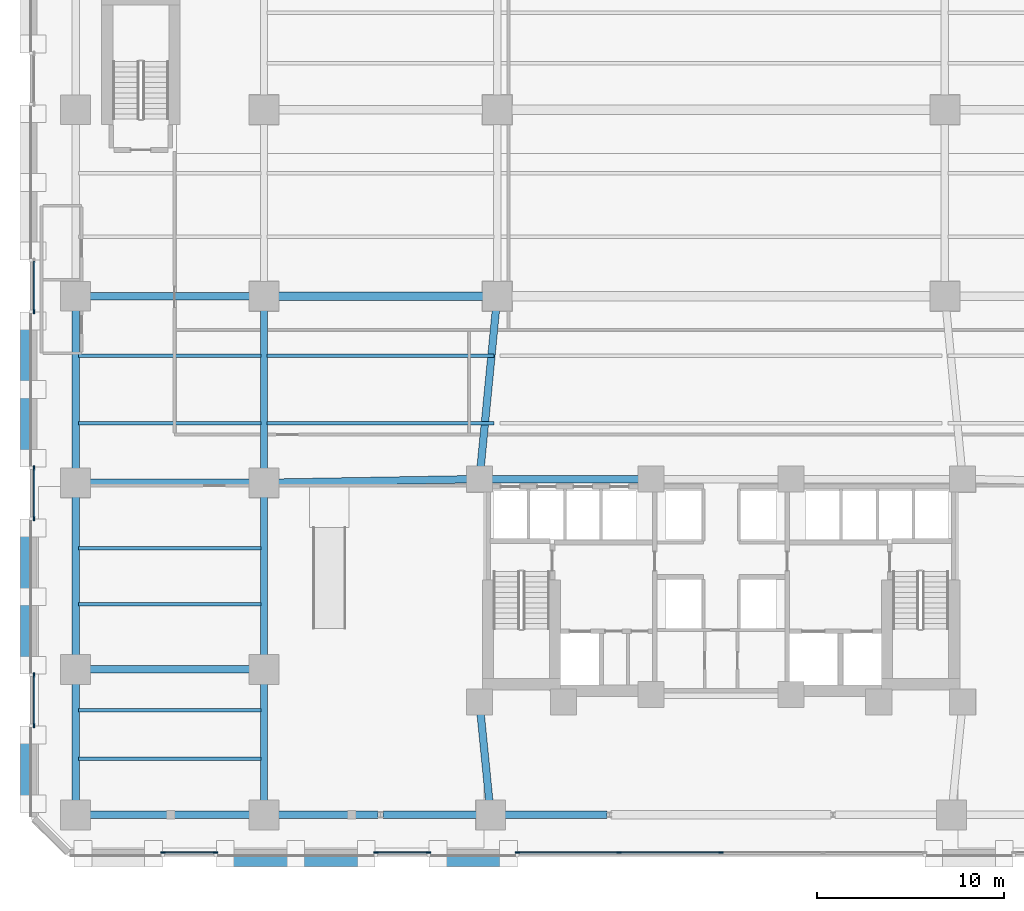
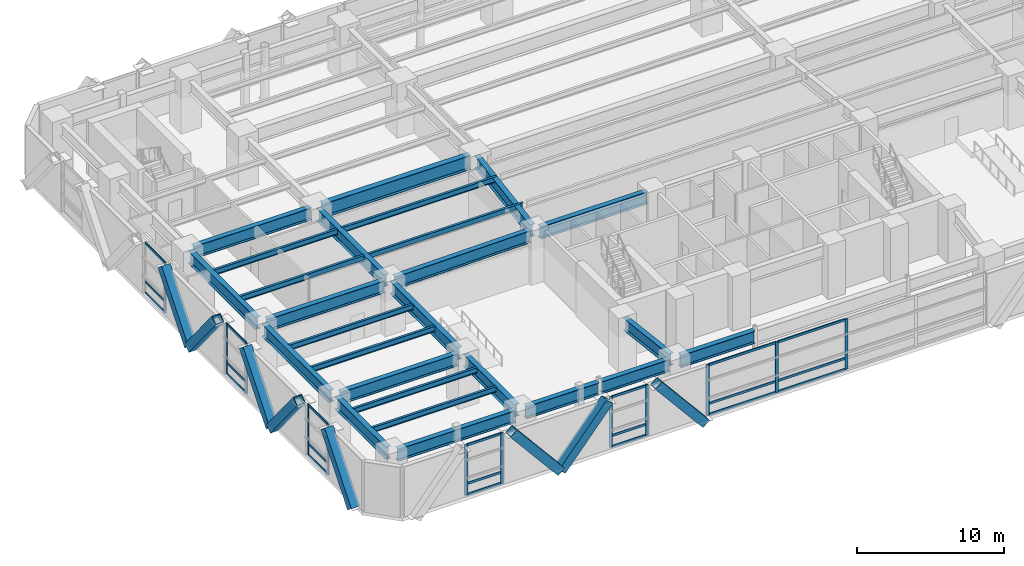
# One storey, part 6 of 26: 41 members, 26 beams, 6 elements without a shape of their own.
"""IFC4 building model written with IfcOpenShell, lengths in metres."""

from ifc_helpers import new_model, si_unit, direction, frame, origin, origin_2d, place, context, subcontext, project, spatial, rectangle, hollow_rectangle, i_section, extrude, material, material_profile, profile_set, type_object, element, aggregate, save


model = new_model("IFC4")

# Units and contexts
model_context = context("Model", 3, precision=1e-05, world=origin(), true_north=direction((0.0, 1.0)))
body_context = subcontext(model_context, "Body", "Model", "MODEL_VIEW")
ifc_project = project(units=[si_unit("LENGTHUNIT", "METRE"), si_unit("AREAUNIT", "SQUARE_METRE"), si_unit("VOLUMEUNIT", "CUBIC_METRE"), si_unit("PLANEANGLEUNIT", "RADIAN"), si_unit("MASSUNIT", "GRAM", prefix="KILO")], contexts=[model_context])

# Site, building, storey
site_placement = place(None, origin())
site = spatial("IfcSite", under=ifc_project, at=site_placement, CompositionType="ELEMENT")
building_placement = place(site_placement, origin())
building = spatial("IfcBuilding", under=site, at=building_placement, Name="Quenlor Broadcast Tower", CompositionType="ELEMENT")
storey_placement = place(building_placement, frame((0.0, 0.0, 5.0)))
storey = spatial("IfcBuildingStorey", under=building, at=storey_placement, Name="L01", CompositionType="ELEMENT", Elevation=5.0)

# Curtain wall, members
ifc_material_1 = material(Name="Architectural Terracotta and Low-E Glazing", Category="masonry")
curtain_wall_type = type_object("IfcCurtainWallType", Name="Station Concourse and Crown Terracotta Curtain Wall", PredefinedType="NOTDEFINED", material=ifc_material_1)
curtain_wall_1_placement = place(storey_placement, origin())
curtain_wall_1 = element("IfcCurtainWall", 1, at=curtain_wall_1_placement, inside=storey, type_object=curtain_wall_type, Name="L01 Curtain Wall CW6 (L01-S-FULL-G3)", PredefinedType="NOTDEFINED")
ifc_material_2 = material(Name="Aluminium 6063-T6", Category="aluminium")
ifc_material_profile_1 = material_profile(ifc_material_2, rectangle(XDim=0.08203125, YDim=0.239990234375, at=origin_2d()))
ifc_profile_set_1 = profile_set([ifc_material_profile_1], Name="Aluminium 6063-T6 MULL82x240")
member_type_1 = type_object("IfcMemberType", Name="CW6 Aluminium Mullion MULL_CW6", PredefinedType="MULLION", material=ifc_profile_set_1)
member_1_placement = place(storey_placement, frame((0.0, -24.820068359375, 0.0), z_axis=(0.0, 0.0, 1.0), x_axis=(0.0, -1.0, 0.0)))
member_1 = element("IfcMember", 2, at=member_1_placement, type_object=member_type_1, Name="CW6 mullion 3", PredefinedType="MULLION", context=body_context, shape_type="SweptSolid", body=[
    extrude(rectangle(XDim=0.08203125, YDim=0.239990234375, at=origin_2d()), origin(), (0.0, 0.0, 1.0), 4.199951171875),
])
member_2_placement = place(storey_placement, frame((-5.475341796875, -24.820068359375, 0.0), z_axis=(0.0, 0.0, 1.0), x_axis=(0.0, -1.0, 0.0)))
member_2 = element("IfcMember", 3, at=member_2_placement, type_object=member_type_1, Name="CW6 mullion 4", PredefinedType="MULLION", context=body_context, shape_type="SweptSolid", body=[
    extrude(rectangle(XDim=0.08203125, YDim=0.239990234375, at=origin_2d()), origin(), (0.0, 0.0, 1.0), 4.199951171875),
])
member_3_placement = place(storey_placement, frame((-10.909423828125, -24.820068359375, 0.0), z_axis=(0.0, 0.0, 1.0), x_axis=(0.0, -1.0, 0.0)))
member_3 = element("IfcMember", 4, at=member_3_placement, type_object=member_type_1, Name="CW6 mullion 5", PredefinedType="MULLION", context=body_context, shape_type="SweptSolid", body=[
    extrude(rectangle(XDim=0.08203125, YDim=0.239990234375, at=origin_2d()), origin(), (0.0, 0.0, 1.0), 4.199951171875),
])

curtain_wall_2_placement = place(storey_placement, origin())
curtain_wall_2 = element("IfcCurtainWall", 5, at=curtain_wall_2_placement, inside=storey, type_object=curtain_wall_type, Name="L01 Curtain Wall CW6 (L01-S-FULL-G4)", PredefinedType="NOTDEFINED")
member_4_placement = place(storey_placement, frame((-15.6904296875, -24.820068359375, 0.0), z_axis=(0.0, 0.0, 1.0), x_axis=(0.0, -1.0, 0.0)))
member_4 = element("IfcMember", 6, at=member_4_placement, type_object=member_type_1, Name="CW6 mullion 1", PredefinedType="MULLION", context=body_context, shape_type="SweptSolid", body=[
    extrude(rectangle(XDim=0.08203125, YDim=0.239990234375, at=origin_2d()), origin(), (0.0, 0.0, 1.0), 4.199951171875),
])
member_5_placement = place(storey_placement, frame((-18.509521484375, -24.820068359375, 0.0), z_axis=(0.0, 0.0, 1.0), x_axis=(0.0, -1.0, 0.0)))
member_5 = element("IfcMember", 7, at=member_5_placement, type_object=member_type_1, Name="CW6 mullion 2", PredefinedType="MULLION", context=body_context, shape_type="SweptSolid", body=[
    extrude(rectangle(XDim=0.08203125, YDim=0.239990234375, at=origin_2d()), origin(), (0.0, 0.0, 1.0), 4.199951171875),
])

curtain_wall_3_placement = place(storey_placement, origin())
curtain_wall_3 = element("IfcCurtainWall", 8, at=curtain_wall_3_placement, inside=storey, type_object=curtain_wall_type, Name="L01 Curtain Wall CW6 (L01-S-FULL-G5)", PredefinedType="NOTDEFINED")
member_6_placement = place(storey_placement, frame((-27.090576171875, -24.820068359375, 0.0), z_axis=(0.0, 0.0, 1.0), x_axis=(0.0, -1.0, 0.0)))
member_6 = element("IfcMember", 9, at=member_6_placement, type_object=member_type_1, Name="CW6 mullion 1", PredefinedType="MULLION", context=body_context, shape_type="SweptSolid", body=[
    extrude(rectangle(XDim=0.08203125, YDim=0.239990234375, at=origin_2d()), origin(), (0.0, 0.0, 1.0), 4.199951171875),
])
member_7_placement = place(storey_placement, frame((-29.909423828125, -24.820068359375, 0.0), z_axis=(0.0, 0.0, 1.0), x_axis=(0.0, -1.0, 0.0)))
member_7 = element("IfcMember", 10, at=member_7_placement, type_object=member_type_1, Name="CW6 mullion 2", PredefinedType="MULLION", context=body_context, shape_type="SweptSolid", body=[
    extrude(rectangle(XDim=0.08203125, YDim=0.239990234375, at=origin_2d()), origin(), (0.0, 0.0, 1.0), 4.199951171875),
])

curtain_wall_4_placement = place(storey_placement, origin())
curtain_wall_4 = element("IfcCurtainWall", 11, at=curtain_wall_4_placement, inside=storey, type_object=curtain_wall_type, Name="L01 Curtain Wall CW6 (L01-W-FULL-G1)", PredefinedType="NOTDEFINED")
member_8_placement = place(storey_placement, frame((-36.820068359375, -18.00634765625, 0.0), z_axis=(0.0, 0.0, 1.0), x_axis=(-1.0, 0.0, 0.0)))
member_8 = element("IfcMember", 12, at=member_8_placement, type_object=member_type_1, Name="CW6 mullion 1", PredefinedType="MULLION", context=body_context, shape_type="SweptSolid", body=[
    extrude(rectangle(XDim=0.08203125, YDim=0.239990234375, at=origin_2d()), origin(), (0.0, 0.0, 1.0), 4.199951171875),
])
member_9_placement = place(storey_placement, frame((-36.820068359375, -15.293701171875, 0.0), z_axis=(0.0, 0.0, 1.0), x_axis=(-1.0, 0.0, 0.0)))
member_9 = element("IfcMember", 13, at=member_9_placement, type_object=member_type_1, Name="CW6 mullion 2", PredefinedType="MULLION", context=body_context, shape_type="SweptSolid", body=[
    extrude(rectangle(XDim=0.08203125, YDim=0.239990234375, at=origin_2d()), origin(), (0.0, 0.0, 1.0), 4.199951171875),
])

curtain_wall_5_placement = place(storey_placement, origin())
curtain_wall_5 = element("IfcCurtainWall", 14, at=curtain_wall_5_placement, inside=storey, type_object=curtain_wall_type, Name="L01 Curtain Wall CW6 (L01-W-FULL-G2)", PredefinedType="NOTDEFINED")
member_10_placement = place(storey_placement, frame((-36.820068359375, -6.90625, 0.0), z_axis=(0.0, 0.0, 1.0), x_axis=(-1.0, 0.0, 0.0)))
member_10 = element("IfcMember", 15, at=member_10_placement, type_object=member_type_1, Name="CW6 mullion 1", PredefinedType="MULLION", context=body_context, shape_type="SweptSolid", body=[
    extrude(rectangle(XDim=0.08203125, YDim=0.239990234375, at=origin_2d()), origin(), (0.0, 0.0, 1.0), 4.199951171875),
])
member_11_placement = place(storey_placement, frame((-36.820068359375, -4.193603515625, 0.0), z_axis=(0.0, 0.0, 1.0), x_axis=(-1.0, 0.0, 0.0)))
member_11 = element("IfcMember", 16, at=member_11_placement, type_object=member_type_1, Name="CW6 mullion 2", PredefinedType="MULLION", context=body_context, shape_type="SweptSolid", body=[
    extrude(rectangle(XDim=0.08203125, YDim=0.239990234375, at=origin_2d()), origin(), (0.0, 0.0, 1.0), 4.199951171875),
])

# Curtain wall, member
curtain_wall_6_placement = place(storey_placement, origin())
curtain_wall_6 = element("IfcCurtainWall", 17, at=curtain_wall_6_placement, inside=storey, type_object=curtain_wall_type, Name="L01 Curtain Wall CW6 (L01-W-FULL-G3)", PredefinedType="NOTDEFINED")
member_12_placement = place(storey_placement, frame((-36.820068359375, 4.193603515625, 0.0), z_axis=(0.0, 0.0, 1.0), x_axis=(-1.0, 0.0, 0.0)))
member_12 = element("IfcMember", 18, at=member_12_placement, type_object=member_type_1, Name="CW6 mullion 1", PredefinedType="MULLION", context=body_context, shape_type="SweptSolid", body=[
    extrude(rectangle(XDim=0.08203125, YDim=0.239990234375, at=origin_2d()), origin(), (0.0, 0.0, 1.0), 4.199951171875),
])

# Member
ifc_material_3 = material(Name="Aluminium 6063-T6", Category="aluminium")
ifc_material_profile_2 = material_profile(ifc_material_3, rectangle(XDim=0.08203125, YDim=0.195068359375, at=origin_2d()))
ifc_profile_set_2 = profile_set([ifc_material_profile_2], Name="Aluminium 6063-T6 TRAN82x195")
member_type_2 = type_object("IfcMemberType", Name="CW6 Aluminium Transom TRAN_CW6", PredefinedType="USERDEFINED", material=ifc_profile_set_2)
member_13_placement = place(storey_placement, frame((-0.041015625, -24.820068359375, 0.041015625), z_axis=(-1.0, 0.0, 0.0), x_axis=(0.0, -1.0, 0.0)))
member_13 = element("IfcMember", 19, at=member_13_placement, type_object=member_type_2, Name="CW6 transom 3.1", ObjectType="TRANSOM", PredefinedType="USERDEFINED", context=body_context, shape_type="SweptSolid", body=[
    extrude(rectangle(XDim=0.08203125, YDim=0.195068359375, at=origin_2d()), origin(), (0.0, 0.0, 1.0), 5.393310546875),
])

member_14_placement = place(storey_placement, frame((-0.041015625, -24.820068359375, 0.949951171875), z_axis=(-1.0, 0.0, 0.0), x_axis=(0.0, -1.0, 0.0)))
member_14 = element("IfcMember", 20, at=member_14_placement, type_object=member_type_2, Name="CW6 transom 3.2", ObjectType="TRANSOM", PredefinedType="USERDEFINED", context=body_context, shape_type="SweptSolid", body=[
    extrude(rectangle(XDim=0.08203125, YDim=0.195068359375, at=origin_2d()), origin(), (0.0, 0.0, 1.0), 5.393310546875),
])

member_15_placement = place(storey_placement, frame((-0.041015625, -24.820068359375, 4.158935546875), z_axis=(-1.0, 0.0, 0.0), x_axis=(0.0, -1.0, 0.0)))
member_15 = element("IfcMember", 21, at=member_15_placement, type_object=member_type_2, Name="CW6 transom 3.3", ObjectType="TRANSOM", PredefinedType="USERDEFINED", context=body_context, shape_type="SweptSolid", body=[
    extrude(rectangle(XDim=0.08203125, YDim=0.195068359375, at=origin_2d()), origin(), (0.0, 0.0, 1.0), 5.393310546875),
])

member_16_placement = place(storey_placement, frame((-5.516357421875, -24.820068359375, 0.041015625), z_axis=(-1.0, 0.0, 0.0), x_axis=(0.0, -1.0, 0.0)))
member_16 = element("IfcMember", 22, at=member_16_placement, type_object=member_type_2, Name="CW6 transom 4.1", ObjectType="TRANSOM", PredefinedType="USERDEFINED", context=body_context, shape_type="SweptSolid", body=[
    extrude(rectangle(XDim=0.08203125, YDim=0.195068359375, at=origin_2d()), origin(), (0.0, 0.0, 1.0), 5.35205078125),
])

member_17_placement = place(storey_placement, frame((-5.516357421875, -24.820068359375, 0.949951171875), z_axis=(-1.0, 0.0, 0.0), x_axis=(0.0, -1.0, 0.0)))
member_17 = element("IfcMember", 23, at=member_17_placement, type_object=member_type_2, Name="CW6 transom 4.2", ObjectType="TRANSOM", PredefinedType="USERDEFINED", context=body_context, shape_type="SweptSolid", body=[
    extrude(rectangle(XDim=0.08203125, YDim=0.195068359375, at=origin_2d()), origin(), (0.0, 0.0, 1.0), 5.35205078125),
])

member_18_placement = place(storey_placement, frame((-5.516357421875, -24.820068359375, 4.158935546875), z_axis=(-1.0, 0.0, 0.0), x_axis=(0.0, -1.0, 0.0)))
member_18 = element("IfcMember", 24, at=member_18_placement, type_object=member_type_2, Name="CW6 transom 4.3", ObjectType="TRANSOM", PredefinedType="USERDEFINED", context=body_context, shape_type="SweptSolid", body=[
    extrude(rectangle(XDim=0.08203125, YDim=0.195068359375, at=origin_2d()), origin(), (0.0, 0.0, 1.0), 5.35205078125),
])

aggregate(curtain_wall_1, [member_1, member_2, member_3, member_13, member_14, member_15, member_16, member_17, member_18])

member_19_placement = place(storey_placement, frame((-15.7314453125, -24.820068359375, 0.041015625), z_axis=(-1.0, 0.0, 0.0), x_axis=(0.0, -1.0, 0.0)))
member_19 = element("IfcMember", 25, at=member_19_placement, type_object=member_type_2, Name="CW6 transom 1.1", ObjectType="TRANSOM", PredefinedType="USERDEFINED", context=body_context, shape_type="SweptSolid", body=[
    extrude(rectangle(XDim=0.08203125, YDim=0.195068359375, at=origin_2d()), origin(), (0.0, 0.0, 1.0), 2.737060546875),
])

member_20_placement = place(storey_placement, frame((-15.7314453125, -24.820068359375, 0.949951171875), z_axis=(-1.0, 0.0, 0.0), x_axis=(0.0, -1.0, 0.0)))
member_20 = element("IfcMember", 26, at=member_20_placement, type_object=member_type_2, Name="CW6 transom 1.2", ObjectType="TRANSOM", PredefinedType="USERDEFINED", context=body_context, shape_type="SweptSolid", body=[
    extrude(rectangle(XDim=0.08203125, YDim=0.195068359375, at=origin_2d()), origin(), (0.0, 0.0, 1.0), 2.737060546875),
])

member_21_placement = place(storey_placement, frame((-15.7314453125, -24.820068359375, 4.158935546875), z_axis=(-1.0, 0.0, 0.0), x_axis=(0.0, -1.0, 0.0)))
member_21 = element("IfcMember", 27, at=member_21_placement, type_object=member_type_2, Name="CW6 transom 1.3", ObjectType="TRANSOM", PredefinedType="USERDEFINED", context=body_context, shape_type="SweptSolid", body=[
    extrude(rectangle(XDim=0.08203125, YDim=0.195068359375, at=origin_2d()), origin(), (0.0, 0.0, 1.0), 2.737060546875),
])

aggregate(curtain_wall_2, [member_4, member_5, member_19, member_20, member_21])

member_22_placement = place(storey_placement, frame((-27.131591796875, -24.820068359375, 0.041015625), z_axis=(-1.0, 0.0, 0.0), x_axis=(0.0, -1.0, 0.0)))
member_22 = element("IfcMember", 28, at=member_22_placement, type_object=member_type_2, Name="CW6 transom 1.1", ObjectType="TRANSOM", PredefinedType="USERDEFINED", context=body_context, shape_type="SweptSolid", body=[
    extrude(rectangle(XDim=0.08203125, YDim=0.195068359375, at=origin_2d()), origin(), (0.0, 0.0, 1.0), 2.73681640625),
])

member_23_placement = place(storey_placement, frame((-27.131591796875, -24.820068359375, 0.949951171875), z_axis=(-1.0, 0.0, 0.0), x_axis=(0.0, -1.0, 0.0)))
member_23 = element("IfcMember", 29, at=member_23_placement, type_object=member_type_2, Name="CW6 transom 1.2", ObjectType="TRANSOM", PredefinedType="USERDEFINED", context=body_context, shape_type="SweptSolid", body=[
    extrude(rectangle(XDim=0.08203125, YDim=0.195068359375, at=origin_2d()), origin(), (0.0, 0.0, 1.0), 2.73681640625),
])

member_24_placement = place(storey_placement, frame((-27.131591796875, -24.820068359375, 4.158935546875), z_axis=(-1.0, 0.0, 0.0), x_axis=(0.0, -1.0, 0.0)))
member_24 = element("IfcMember", 30, at=member_24_placement, type_object=member_type_2, Name="CW6 transom 1.3", ObjectType="TRANSOM", PredefinedType="USERDEFINED", context=body_context, shape_type="SweptSolid", body=[
    extrude(rectangle(XDim=0.08203125, YDim=0.195068359375, at=origin_2d()), origin(), (0.0, 0.0, 1.0), 2.73681640625),
])

aggregate(curtain_wall_3, [member_6, member_7, member_22, member_23, member_24])

member_25_placement = place(storey_placement, frame((-36.820068359375, -17.96533203125, 0.041015625), z_axis=(0.0, 1.0, 0.0), x_axis=(-1.0, 0.0, 0.0)))
member_25 = element("IfcMember", 31, at=member_25_placement, type_object=member_type_2, Name="CW6 transom 1.1", ObjectType="TRANSOM", PredefinedType="USERDEFINED", context=body_context, shape_type="SweptSolid", body=[
    extrude(rectangle(XDim=0.08203125, YDim=0.195068359375, at=origin_2d()), origin(), (0.0, 0.0, 1.0), 2.630615234375),
])

member_26_placement = place(storey_placement, frame((-36.820068359375, -17.96533203125, 0.949951171875), z_axis=(0.0, 1.0, 0.0), x_axis=(-1.0, 0.0, 0.0)))
member_26 = element("IfcMember", 32, at=member_26_placement, type_object=member_type_2, Name="CW6 transom 1.2", ObjectType="TRANSOM", PredefinedType="USERDEFINED", context=body_context, shape_type="SweptSolid", body=[
    extrude(rectangle(XDim=0.08203125, YDim=0.195068359375, at=origin_2d()), origin(), (0.0, 0.0, 1.0), 2.630615234375),
])

member_27_placement = place(storey_placement, frame((-36.820068359375, -17.96533203125, 4.158935546875), z_axis=(0.0, 1.0, 0.0), x_axis=(-1.0, 0.0, 0.0)))
member_27 = element("IfcMember", 33, at=member_27_placement, type_object=member_type_2, Name="CW6 transom 1.3", ObjectType="TRANSOM", PredefinedType="USERDEFINED", context=body_context, shape_type="SweptSolid", body=[
    extrude(rectangle(XDim=0.08203125, YDim=0.195068359375, at=origin_2d()), origin(), (0.0, 0.0, 1.0), 2.630615234375),
])

aggregate(curtain_wall_4, [member_8, member_9, member_25, member_26, member_27])

member_28_placement = place(storey_placement, frame((-36.820068359375, -6.865234375, 0.041015625), z_axis=(0.0, 1.0, 0.0), x_axis=(-1.0, 0.0, 0.0)))
member_28 = element("IfcMember", 34, at=member_28_placement, type_object=member_type_2, Name="CW6 transom 1.1", ObjectType="TRANSOM", PredefinedType="USERDEFINED", context=body_context, shape_type="SweptSolid", body=[
    extrude(rectangle(XDim=0.08203125, YDim=0.195068359375, at=origin_2d()), origin(), (0.0, 0.0, 1.0), 2.630615234375),
])

member_29_placement = place(storey_placement, frame((-36.820068359375, -6.865234375, 0.949951171875), z_axis=(0.0, 1.0, 0.0), x_axis=(-1.0, 0.0, 0.0)))
member_29 = element("IfcMember", 35, at=member_29_placement, type_object=member_type_2, Name="CW6 transom 1.2", ObjectType="TRANSOM", PredefinedType="USERDEFINED", context=body_context, shape_type="SweptSolid", body=[
    extrude(rectangle(XDim=0.08203125, YDim=0.195068359375, at=origin_2d()), origin(), (0.0, 0.0, 1.0), 2.630615234375),
])

member_30_placement = place(storey_placement, frame((-36.820068359375, -6.865234375, 4.158935546875), z_axis=(0.0, 1.0, 0.0), x_axis=(-1.0, 0.0, 0.0)))
member_30 = element("IfcMember", 36, at=member_30_placement, type_object=member_type_2, Name="CW6 transom 1.3", ObjectType="TRANSOM", PredefinedType="USERDEFINED", context=body_context, shape_type="SweptSolid", body=[
    extrude(rectangle(XDim=0.08203125, YDim=0.195068359375, at=origin_2d()), origin(), (0.0, 0.0, 1.0), 2.630615234375),
])

aggregate(curtain_wall_5, [member_10, member_11, member_28, member_29, member_30])

member_31_placement = place(storey_placement, frame((-36.820068359375, 4.234619140625, 0.041015625), z_axis=(0.0, 1.0, 0.0), x_axis=(-1.0, 0.0, 0.0)))
member_31 = element("IfcMember", 37, at=member_31_placement, type_object=member_type_2, Name="CW6 transom 1.1", ObjectType="TRANSOM", PredefinedType="USERDEFINED", context=body_context, shape_type="SweptSolid", body=[
    extrude(rectangle(XDim=0.08203125, YDim=0.195068359375, at=origin_2d()), origin(), (0.0, 0.0, 1.0), 2.630615234375),
])

member_32_placement = place(storey_placement, frame((-36.820068359375, 4.234619140625, 0.949951171875), z_axis=(0.0, 1.0, 0.0), x_axis=(-1.0, 0.0, 0.0)))
member_32 = element("IfcMember", 38, at=member_32_placement, type_object=member_type_2, Name="CW6 transom 1.2", ObjectType="TRANSOM", PredefinedType="USERDEFINED", context=body_context, shape_type="SweptSolid", body=[
    extrude(rectangle(XDim=0.08203125, YDim=0.195068359375, at=origin_2d()), origin(), (0.0, 0.0, 1.0), 2.630615234375),
])

member_33_placement = place(storey_placement, frame((-36.820068359375, 4.234619140625, 4.158935546875), z_axis=(0.0, 1.0, 0.0), x_axis=(-1.0, 0.0, 0.0)))
member_33 = element("IfcMember", 39, at=member_33_placement, type_object=member_type_2, Name="CW6 transom 1.3", ObjectType="TRANSOM", PredefinedType="USERDEFINED", context=body_context, shape_type="SweptSolid", body=[
    extrude(rectangle(XDim=0.08203125, YDim=0.195068359375, at=origin_2d()), origin(), (0.0, 0.0, 1.0), 2.630615234375),
])

aggregate(curtain_wall_6, [member_12, member_31, member_32, member_33])

# Members
ifc_material_4 = material(Name="Steel S355", Category="steel")
ifc_material_profile_3 = material_profile(ifc_material_4, hollow_rectangle(XDim=0.679931640625, YDim=0.679931640625, WallThickness=0.034912109375, at=origin_2d()))
ifc_profile_set_3 = profile_set([ifc_material_profile_3], Name="Steel S355 RHS680x680x35")
member_type_3 = type_object("IfcMemberType", Name="Perimeter Diagonal Lattice Brace Z1 Steel S355 RHS680x35", PredefinedType="BRACE", material=ifc_profile_set_3)
for number, where, z_axis, x_axis, name in (
    (40, (-11.4228515625, -25.215087890625, -0.1201171875), (-0.640626831312, 0.0, 0.767852370578), (0.0, -1.0, 0.0), "L01 Podium Diamond Lattice S-P5S"),
    (41, (-22.777099609375, -25.215087890625, -0.1201171875), (0.640626831312, 0.0, 0.767852370578), (0.0, 1.0, 0.0), "L01 Podium Diamond Lattice S-P5B"),
    (42, (-22.82275390625, -25.215087890625, -0.1201171875), (-0.640626831312, 0.0, 0.767852370578), (0.0, -1.0, 0.0), "L01 Podium Diamond Lattice S-P6S"),
):
    element("IfcMember", number, at=place(storey_placement, frame(where, z_axis=z_axis, x_axis=x_axis)), inside=storey, type_object=member_type_3, Name=name, PredefinedType="BRACE", context=body_context, shape_type="SweptSolid", body=[
        extrude(hollow_rectangle(XDim=0.679931640625, YDim=0.679931640625, WallThickness=0.034912109375, at=origin_2d()), origin(), (0.0, 0.0, 1.0), 5.860595703125),
    ])
for number, where, z_axis, x_axis, name in (
    (43, (-37.215087890625, -22.177734375, -0.1201171875), (0.0, 0.630516526394, 0.776175824117), (-1.0, 0.0, 0.0), "L01 Podium Diamond Lattice W-P1S"),
    (44, (-37.215087890625, -11.122314453125, -0.1201171875), (0.0, -0.630516526394, 0.776175824117), (1.0, 0.0, 0.0), "L01 Podium Diamond Lattice W-P1B"),
):
    element("IfcMember", number, at=place(storey_placement, frame(where, z_axis=z_axis, x_axis=x_axis)), inside=storey, type_object=member_type_3, Name=name, PredefinedType="BRACE", context=body_context, shape_type="SweptSolid", body=[
        extrude(hollow_rectangle(XDim=0.679931640625, YDim=0.679931640625, WallThickness=0.034912109375, at=origin_2d()), origin(), (0.0, 0.0, 1.0), 5.797607421875),
    ])
member_34_placement = place(storey_placement, frame((-37.215087890625, -11.077880859375, -0.1201171875), z_axis=(0.0, 0.630541894648, 0.776155215851), x_axis=(-1.0, 0.0, 0.0)))
element("IfcMember", 45, at=member_34_placement, inside=storey, type_object=member_type_3, Name="L01 Podium Diamond Lattice W-P2S", PredefinedType="BRACE", context=body_context, shape_type="SweptSolid", body=[
    extrude(hollow_rectangle(XDim=0.679931640625, YDim=0.679931640625, WallThickness=0.034912109375, at=origin_2d()), origin(), (0.0, 0.0, 1.0), 5.7978515625),
])
for number, where, z_axis, x_axis, name in (
    (46, (-37.215087890625, -0.022216796875, -0.1201171875), (0.0, -0.630516526394, 0.776175824117), (1.0, 0.0, 0.0), "L01 Podium Diamond Lattice W-P2B"),
    (47, (-37.215087890625, 0.022216796875, -0.1201171875), (0.0, 0.630516526394, 0.776175824117), (-1.0, 0.0, 0.0), "L01 Podium Diamond Lattice W-P3S"),
):
    element("IfcMember", number, at=place(storey_placement, frame(where, z_axis=z_axis, x_axis=x_axis)), inside=storey, type_object=member_type_3, Name=name, PredefinedType="BRACE", context=body_context, shape_type="SweptSolid", body=[
        extrude(hollow_rectangle(XDim=0.679931640625, YDim=0.679931640625, WallThickness=0.034912109375, at=origin_2d()), origin(), (0.0, 0.0, 1.0), 5.797607421875),
    ])

# Beams
ifc_material_5 = material(Name="Steel S355", Category="steel")
ifc_material_profile_4 = material_profile(ifc_material_5, i_section(OverallWidth=0.39990234375, OverallDepth=1.02392578125, WebThickness=0.01611328125, FlangeThickness=0.031982421875, FilletRadius=0.01611328125, at=origin_2d()))
ifc_profile_set_4 = profile_set([ifc_material_profile_4], Name="Steel S355 1000WB322")
beam_type_1 = type_object("IfcBeamType", Name="Podium Concourse Girder Steel S355 1000WB322", PredefinedType="BEAM", material=ifc_profile_set_4)
beam_1_placement = place(storey_placement, frame((-34.179931640625, -22.800048828125, 3.68798828125), z_axis=(1.0, 0.0, 0.0), x_axis=(0.0, 1.0, 0.0)))
element("IfcBeam", 48, at=beam_1_placement, inside=storey, type_object=beam_type_1, Name="L01 Podium Girder 1", PredefinedType="BEAM", context=body_context, shape_type="SweptSolid", body=[
    extrude(i_section(OverallWidth=0.39990234375, OverallDepth=1.02392578125, WebThickness=0.01611328125, FlangeThickness=0.031982421875, FilletRadius=0.01611328125, at=origin_2d()), origin(), (0.0, 0.0, 1.0), 9.260009765625),
])
beam_2_placement = place(storey_placement, frame((-24.080078125, -22.800048828125, 3.68798828125), z_axis=(1.0, 0.0, 0.0), x_axis=(0.0, 1.0, 0.0)))
element("IfcBeam", 49, at=beam_2_placement, inside=storey, type_object=beam_type_1, Name="L01 Podium Girder 2", PredefinedType="BEAM", context=body_context, shape_type="SweptSolid", body=[
    extrude(i_section(OverallWidth=0.39990234375, OverallDepth=1.02392578125, WebThickness=0.01611328125, FlangeThickness=0.031982421875, FilletRadius=0.01611328125, at=origin_2d()), origin(), (0.0, 0.0, 1.0), 5.694580078125),
])
beam_3_placement = place(storey_placement, frame((-18.114501953125, -22.800048828125, 3.68798828125), z_axis=(1.0, 0.0, 0.0), x_axis=(0.0, 1.0, 0.0)))
element("IfcBeam", 50, at=beam_3_placement, inside=storey, type_object=beam_type_1, Name="L01 Podium Girder 3", PredefinedType="BEAM", context=body_context, shape_type="SweptSolid", body=[
    extrude(i_section(OverallWidth=0.39990234375, OverallDepth=1.02392578125, WebThickness=0.01611328125, FlangeThickness=0.031982421875, FilletRadius=0.01611328125, at=origin_2d()), origin(), (0.0, 0.0, 1.0), 5.344482421875),
])
beam_4_placement = place(storey_placement, frame((-11.929931640625, -22.800048828125, 3.68798828125), z_axis=(1.0, 0.0, 0.0), x_axis=(0.0, 1.0, 0.0)))
element("IfcBeam", 51, at=beam_4_placement, inside=storey, type_object=beam_type_1, Name="L01 Podium Girder 4", PredefinedType="BEAM", context=body_context, shape_type="SweptSolid", body=[
    extrude(i_section(OverallWidth=0.39990234375, OverallDepth=1.02392578125, WebThickness=0.01611328125, FlangeThickness=0.031982421875, FilletRadius=0.01611328125, at=origin_2d()), origin(), (0.0, 0.0, 1.0), 5.822021484375),
])
for number, where, z_axis, x_axis, name in (
    (52, (-34.179931640625, -15.0, 3.68798828125), (1.0, 0.0, 0.0), (0.0, 1.0, 0.0), "L01 Podium Girder 10"),
    (53, (-34.179931640625, -5.0, 3.68798828125), (1.0, 0.0, 0.0), (0.0, 1.0, 0.0), "L01 Podium Girder 12"),
    (54, (-34.179931640625, 5.0, 3.68798828125), (1.0, 0.0, 0.0), (0.0, 1.0, 0.0), "L01 Podium Girder 14"),
):
    element("IfcBeam", number, at=place(storey_placement, frame(where, z_axis=z_axis, x_axis=x_axis)), inside=storey, type_object=beam_type_1, Name=name, PredefinedType="BEAM", context=body_context, shape_type="SweptSolid", body=[
        extrude(i_section(OverallWidth=0.39990234375, OverallDepth=1.02392578125, WebThickness=0.01611328125, FlangeThickness=0.031982421875, FilletRadius=0.01611328125, at=origin_2d()), origin(), (0.0, 0.0, 1.0), 9.260009765625),
    ])
beam_5_placement = place(storey_placement, frame((-34.60009765625, -22.3798828125, 3.68798828125), z_axis=(0.0, 1.0, 0.0), x_axis=(-1.0, 0.0, 0.0)))
element("IfcBeam", 55, at=beam_5_placement, inside=storey, type_object=beam_type_1, Name="L01 Podium Girder 34", PredefinedType="BEAM", context=body_context, shape_type="SweptSolid", body=[
    extrude(i_section(OverallWidth=0.39990234375, OverallDepth=1.02392578125, WebThickness=0.01611328125, FlangeThickness=0.031982421875, FilletRadius=0.01611328125, at=origin_2d()), origin(), (0.0, 0.0, 1.0), 6.9599609375),
])
for number, where, z_axis, x_axis, name in (
    (56, (-34.60009765625, -14.580078125, 3.68798828125), (0.0, 1.0, 0.0), (-1.0, 0.0, 0.0), "L01 Podium Girder 35"),
    (57, (-34.60009765625, -4.580078125, 3.68798828125), (0.0, 1.0, 0.0), (-1.0, 0.0, 0.0), "L01 Podium Girder 36"),
):
    element("IfcBeam", number, at=place(storey_placement, frame(where, z_axis=z_axis, x_axis=x_axis)), inside=storey, type_object=beam_type_1, Name=name, PredefinedType="BEAM", context=body_context, shape_type="SweptSolid", body=[
        extrude(i_section(OverallWidth=0.39990234375, OverallDepth=1.02392578125, WebThickness=0.01611328125, FlangeThickness=0.031982421875, FilletRadius=0.01611328125, at=origin_2d()), origin(), (0.0, 0.0, 1.0), 9.16015625),
    ])
beam_6_placement = place(storey_placement, frame((-24.5, -22.3798828125, 3.68798828125), z_axis=(0.0, 1.0, 0.0), x_axis=(-1.0, 0.0, 0.0)))
element("IfcBeam", 58, at=beam_6_placement, inside=storey, type_object=beam_type_1, Name="L01 Podium Girder 39", PredefinedType="BEAM", context=body_context, shape_type="SweptSolid", body=[
    extrude(i_section(OverallWidth=0.39990234375, OverallDepth=1.02392578125, WebThickness=0.01611328125, FlangeThickness=0.031982421875, FilletRadius=0.01611328125, at=origin_2d()), origin(), (0.0, 0.0, 1.0), 6.9599609375),
])
for number, where, z_axis, x_axis, name in (
    (59, (-24.5, -14.580078125, 3.68798828125), (0.0, 1.0, 0.0), (-1.0, 0.0, 0.0), "L01 Podium Girder 40"),
    (60, (-24.5, -4.580078125, 3.68798828125), (0.0, 1.0, 0.0), (-1.0, 0.0, 0.0), "L01 Podium Girder 41"),
):
    element("IfcBeam", number, at=place(storey_placement, frame(where, z_axis=z_axis, x_axis=x_axis)), inside=storey, type_object=beam_type_1, Name=name, PredefinedType="BEAM", context=body_context, shape_type="SweptSolid", body=[
        extrude(i_section(OverallWidth=0.39990234375, OverallDepth=1.02392578125, WebThickness=0.01611328125, FlangeThickness=0.031982421875, FilletRadius=0.01611328125, at=origin_2d()), origin(), (0.0, 0.0, 1.0), 9.16015625),
    ])
beam_7_placement = place(storey_placement, frame((-12.913330078125, -4.421875, 3.68798828125), z_axis=(0.096489068192, 0.995334044288, 0.0), x_axis=(-0.995334044288, 0.096489068192, 0.0)))
element("IfcBeam", 61, at=beam_7_placement, inside=storey, type_object=beam_type_1, Name="L01 Podium Concourse Girder 1", PredefinedType="BEAM", context=body_context, shape_type="SweptSolid", body=[
    extrude(i_section(OverallWidth=0.39990234375, OverallDepth=1.02392578125, WebThickness=0.01611328125, FlangeThickness=0.031982421875, FilletRadius=0.01611328125, at=origin_2d()), origin(), (0.0, 0.0, 1.0), 9.086181640625),
])
beam_8_placement = place(storey_placement, frame((-12.91259765625, -17.128173828125, 3.68798828125), z_axis=(0.098717586069, -0.995115489881, 0.0), x_axis=(0.995115489881, 0.098717586069, 0.0)))
element("IfcBeam", 62, at=beam_8_placement, inside=storey, type_object=beam_type_1, Name="L01 Podium Concourse Girder 3", PredefinedType="BEAM", context=body_context, shape_type="SweptSolid", body=[
    extrude(i_section(OverallWidth=0.39990234375, OverallDepth=1.02392578125, WebThickness=0.01611328125, FlangeThickness=0.031982421875, FilletRadius=0.01611328125, at=origin_2d()), origin(), (0.0, 0.0, 1.0), 5.319580078125),
])
beam_9_placement = place(storey_placement, frame((-13.329833984375, -4.806640625, 3.68798828125), z_axis=(-0.999850235211, -0.017306274859, 0.0), x_axis=(0.017306274859, -0.999850235211, 0.0)))
element("IfcBeam", 63, at=beam_9_placement, inside=storey, type_object=beam_type_1, Name="L01 Podium Concourse Girder 5", PredefinedType="BEAM", context=body_context, shape_type="SweptSolid", body=[
    extrude(i_section(OverallWidth=0.39990234375, OverallDepth=1.02392578125, WebThickness=0.01611328125, FlangeThickness=0.031982421875, FilletRadius=0.01611328125, at=origin_2d()), origin(), (0.0, 0.0, 1.0), 10.7919921875),
])
beam_10_placement = place(storey_placement, frame((-12.570068359375, -4.800048828125, 3.68798828125), z_axis=(1.0, 0.0, 0.0), x_axis=(0.0, 1.0, 0.0)))
element("IfcBeam", 64, at=beam_10_placement, inside=storey, type_object=beam_type_1, Name="L01 Podium Concourse Girder 9", PredefinedType="BEAM", context=body_context, shape_type="SweptSolid", body=[
    extrude(i_section(OverallWidth=0.39990234375, OverallDepth=1.02392578125, WebThickness=0.01611328125, FlangeThickness=0.031982421875, FilletRadius=0.01611328125, at=origin_2d()), origin(), (0.0, 0.0, 1.0), 8.440185546875),
])
ifc_material_6 = material(Name="Steel S355", Category="steel")
ifc_material_profile_5 = material_profile(ifc_material_6, i_section(OverallWidth=0.18994140625, OverallDepth=0.453857421875, WebThickness=0.008544921875, FlangeThickness=0.0126953125, FilletRadius=0.011474609375, at=origin_2d()))
ifc_profile_set_5 = profile_set([ifc_material_profile_5], Name="Steel S355 460UB67.1")
beam_type_2 = type_object("IfcBeamType", Name="Podium Floor Joist Steel S355 460UB67.1", PredefinedType="JOIST", material=ifc_profile_set_5)
for number, where, z_axis, x_axis, name in (
    (65, (-34.43994140625, -19.800048828125, 3.97314453125), (1.0, 0.0, 0.0), (0.0, 1.0, 0.0), "L01 Podium Floor Joist 21"),
    (66, (-34.43994140625, -17.199951171875, 3.97314453125), (1.0, 0.0, 0.0), (0.0, 1.0, 0.0), "L01 Podium Floor Joist 23"),
    (67, (-34.43994140625, -11.5, 3.97314453125), (1.0, 0.0, 0.0), (0.0, 1.0, 0.0), "L01 Podium Floor Joist 25"),
    (68, (-34.43994140625, -8.5, 3.97314453125), (1.0, 0.0, 0.0), (0.0, 1.0, 0.0), "L01 Podium Floor Joist 27"),
    (69, (-34.43994140625, -1.800048828125, 3.97314453125), (1.0, 0.0, 0.0), (0.0, 1.0, 0.0), "L01 Podium Floor Joist 29"),
    (70, (-34.43994140625, 1.800048828125, 3.97314453125), (1.0, 0.0, 0.0), (0.0, 1.0, 0.0), "L01 Podium Floor Joist 31"),
):
    element("IfcBeam", number, at=place(storey_placement, frame(where, z_axis=z_axis, x_axis=x_axis)), inside=storey, type_object=beam_type_2, Name=name, PredefinedType="JOIST", context=body_context, shape_type="SweptSolid", body=[
        extrude(i_section(OverallWidth=0.18994140625, OverallDepth=0.453857421875, WebThickness=0.008544921875, FlangeThickness=0.0126953125, FilletRadius=0.011474609375, at=origin_2d()), origin(), (0.0, 0.0, 1.0), 9.780029296875),
    ])
for number, where, z_axis, x_axis, name in (
    (71, (-24.340087890625, -1.800048828125, 3.97314453125), (1.0, 0.0, 0.0), (0.0, 1.0, 0.0), "L01 Podium Floor Joist 33"),
    (72, (-24.340087890625, 1.800048828125, 3.97314453125), (1.0, 0.0, 0.0), (0.0, 1.0, 0.0), "L01 Podium Floor Joist 36"),
):
    element("IfcBeam", number, at=place(storey_placement, frame(where, z_axis=z_axis, x_axis=x_axis)), inside=storey, type_object=beam_type_2, Name=name, PredefinedType="JOIST", context=body_context, shape_type="SweptSolid", body=[
        extrude(i_section(OverallWidth=0.18994140625, OverallDepth=0.453857421875, WebThickness=0.008544921875, FlangeThickness=0.0126953125, FilletRadius=0.011474609375, at=origin_2d()), origin(), (0.0, 0.0, 1.0), 12.18017578125),
    ])
ifc_material_7 = material(Name="Steel S355", Category="steel")
ifc_material_profile_6 = material_profile(ifc_material_7, i_section(OverallWidth=0.449951171875, OverallDepth=1.18798828125, WebThickness=0.01806640625, FlangeThickness=0.031982421875, FilletRadius=0.01611328125, at=origin_2d()))
ifc_profile_set_6 = profile_set([ifc_material_profile_6], Name="Steel S355 1200WB392")
beam_type_3 = type_object("IfcBeamType", Name="Podium Secondary Studio Girder Steel S355 1200WB392", PredefinedType="BEAM", material=ifc_profile_set_6)
beam_11_placement = place(storey_placement, frame((-24.080078125, 5.0, 3.60595703125), z_axis=(1.0, 0.0, 0.0), x_axis=(0.0, 1.0, 0.0)))
element("IfcBeam", 73, at=beam_11_placement, inside=storey, type_object=beam_type_3, Name="L01 Podium Girder 15", PredefinedType="BEAM", context=body_context, shape_type="SweptSolid", body=[
    extrude(i_section(OverallWidth=0.449951171875, OverallDepth=1.18798828125, WebThickness=0.01806640625, FlangeThickness=0.031982421875, FilletRadius=0.01611328125, at=origin_2d()), origin(), (0.0, 0.0, 1.0), 11.66015625),
])

save(model, "model.ifc")
